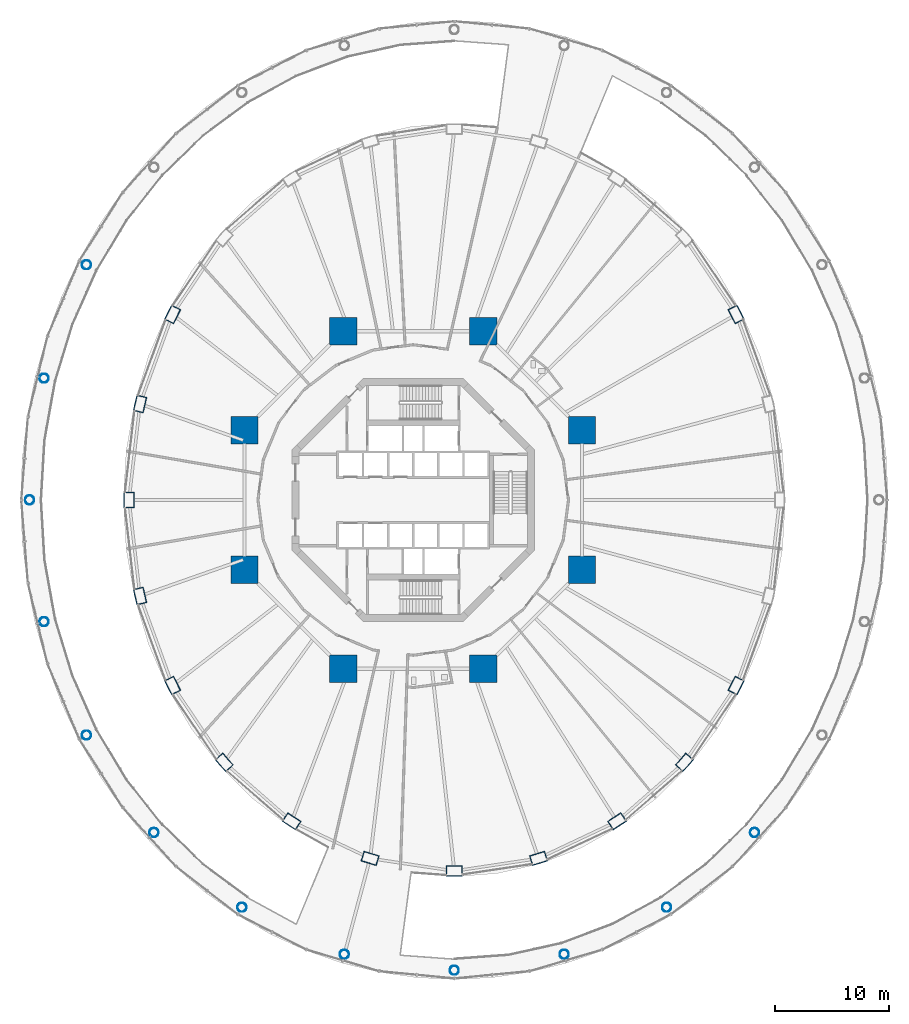
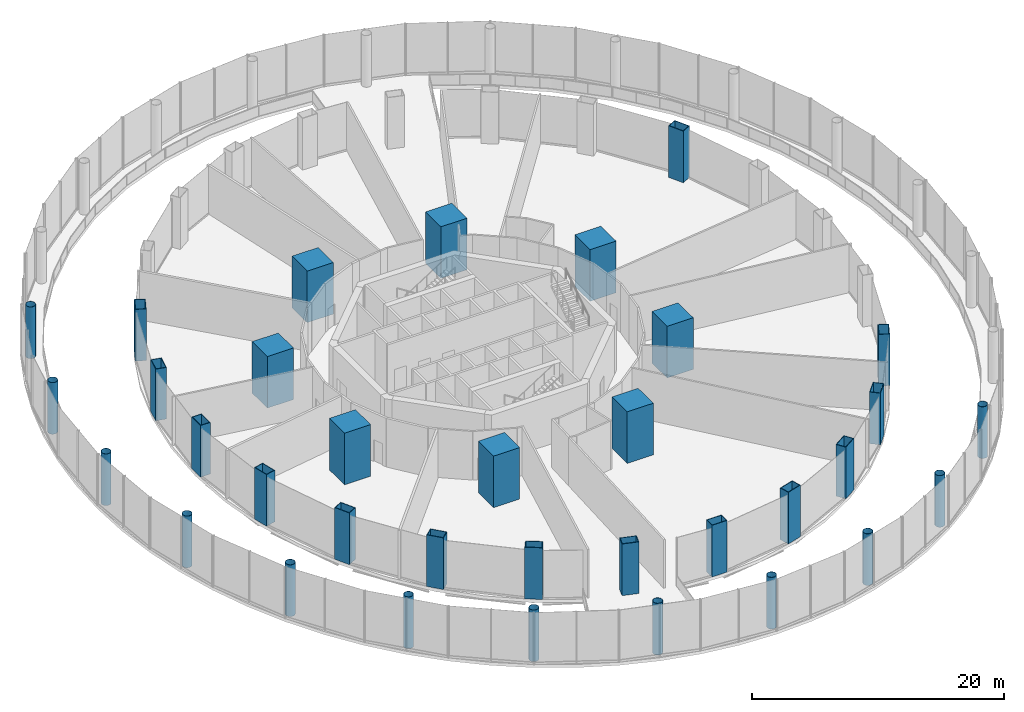
# One storey, part 1 of 48: 34 columns.
"""IFC4 building model written with IfcOpenShell, lengths in metres."""

from ifc_helpers import new_model, si_unit, direction, frame, origin, origin_2d, place, context, subcontext, project, spatial, rectangle, hollow_rectangle, hollow_circle, extrude, material, material_profile, profile_set, type_object, element, save


model = new_model("IFC4")

# Units and contexts
model_context = context("Model", 3, precision=1e-05, world=origin(), true_north=direction((0.0, 1.0)))
body_context = subcontext(model_context, "Body", "Model", "MODEL_VIEW")
ifc_project = project(units=[si_unit("LENGTHUNIT", "METRE"), si_unit("AREAUNIT", "SQUARE_METRE"), si_unit("VOLUMEUNIT", "CUBIC_METRE"), si_unit("PLANEANGLEUNIT", "RADIAN"), si_unit("MASSUNIT", "GRAM", prefix="KILO")], contexts=[model_context])

# Site, building, storey
site_placement = place(None, origin())
site = spatial("IfcSite", under=ifc_project, at=site_placement, CompositionType="ELEMENT")
building_placement = place(site_placement, origin())
building = spatial("IfcBuilding", under=site, at=building_placement, Name="Nagisa Residences", CompositionType="ELEMENT")
storey_placement = place(building_placement, frame((0.0, 0.0, 12.0)))
storey = spatial("IfcBuildingStorey", under=building, at=storey_placement, Name="L02", CompositionType="ELEMENT", Elevation=12.0)

# Columns
ifc_material_1 = material(Name="Steel ASTM A572 Gr 65", Category="steel")
ifc_material_profile_1 = material_profile(ifc_material_1, hollow_circle(Radius=0.406494140625, WallThickness=0.02490234375, at=origin_2d()), Name="CHS 813x25")
ifc_profile_set_1 = profile_set([ifc_material_profile_1], Name="Steel ASTM A572 Gr 65")
column_type_1 = type_object("IfcColumnType", Name="Atrium column CHS 813x25", PredefinedType="COLUMN", material=ifc_profile_set_1)
for number, where, z_axis, x_axis, name in (
    (1, (-28.6162109375, 20.60009765625, 0.0), (0.0, 0.0, 1.0), (1.0, 0.0, 0.0), "col:L02:a10"),
    (2, (-32.33251953125, 10.663330078125, 0.0), (0.0, 0.0, 1.0), (1.0, 0.0, 0.0), "col:L02:a11"),
    (3, (-33.60009765625, 0.0, 0.0), (0.0, 0.0, 1.0), (1.0, 0.0, 0.0), "col:L02:a12"),
    (4, (-32.33251953125, -10.663330078125, 0.0), (0.0, 0.0, 1.0), (1.0, 0.0, 0.0), "col:L02:a13"),
    (5, (-28.6162109375, -20.60009765625, 0.0), (0.0, 0.0, 1.0), (1.0, 0.0, 0.0), "col:L02:a14"),
    (6, (-22.704345703125, -29.1328125, 0.0), (0.0, 0.0, 1.0), (1.0, 0.0, 0.0), "col:L02:a15"),
    (7, (-15.0, -35.68017578125, 0.0), (0.0, 0.0, 1.0), (1.0, 0.0, 0.0), "col:L02:a16"),
    (8, (-6.028076171875, -39.796142578125, 0.0), (0.0, 0.0, 1.0), (1.0, 0.0, 0.0), "col:L02:a17"),
    (9, (3.60009765625, -41.199951171875, 0.0), (0.0, 0.0, 1.0), (1.0, 0.0, 0.0), "col:L02:a18"),
    (10, (13.22802734375, -39.796142578125, 0.0), (0.0, 0.0, 1.0), (1.0, 0.0, 0.0), "col:L02:a19"),
    (11, (22.199951171875, -35.68017578125, 0.0), (0.0, 0.0, 1.0), (1.0, 0.0, 0.0), "col:L02:a20"),
    (12, (29.904296875, -29.1328125, 0.0), (0.0, 0.0, 1.0), (1.0, 0.0, 0.0), "col:L02:a21"),
):
    element("IfcColumn", number, at=place(storey_placement, frame(where, z_axis=z_axis, x_axis=x_axis)), inside=storey, type_object=column_type_1, Name=name, PredefinedType="COLUMN", context=body_context, shape_type="SweptSolid", body=[
        extrude(hollow_circle(Radius=0.406494140625, WallThickness=0.02490234375, at=origin_2d()), origin(), (0.0, 0.0, 1.0), 5.0),
    ])
ifc_material_2 = material(Name="Concrete C80", Category="concrete")
ifc_material_profile_2 = material_profile(ifc_material_2, rectangle(XDim=2.39990234375, YDim=2.39990234375, at=origin_2d()), Name="C80 2400x2400")
ifc_profile_set_2 = profile_set([ifc_material_profile_2], Name="Concrete C80")
column_type_2 = type_object("IfcColumnType", Name="Inner megacolumn C80 2400x2400", PredefinedType="COLUMN", material=ifc_profile_set_2)
for number, where, z_axis, x_axis, name in (
    (13, (14.781982421875, 6.123046875, 0.0), (0.0, 0.0, 1.0), (1.0, 0.0, 0.0), "col:L02:i1"),
    (14, (6.123046875, 14.781982421875, 0.0), (0.0, 0.0, 1.0), (1.0, 0.0, 0.0), "col:L02:i2"),
    (15, (-6.123046875, 14.781982421875, 0.0), (0.0, 0.0, 1.0), (1.0, 0.0, 0.0), "col:L02:i3"),
    (16, (-14.781982421875, 6.123046875, 0.0), (0.0, 0.0, 1.0), (1.0, 0.0, 0.0), "col:L02:i4"),
    (17, (-14.781982421875, -6.123046875, 0.0), (0.0, 0.0, 1.0), (1.0, 0.0, 0.0), "col:L02:i5"),
    (18, (-6.123046875, -14.781982421875, 0.0), (0.0, 0.0, 1.0), (1.0, 0.0, 0.0), "col:L02:i6"),
    (19, (6.123046875, -14.781982421875, 0.0), (0.0, 0.0, 1.0), (1.0, 0.0, 0.0), "col:L02:i7"),
    (20, (14.781982421875, -6.123046875, 0.0), (0.0, 0.0, 1.0), (1.0, 0.0, 0.0), "col:L02:i8"),
):
    element("IfcColumn", number, at=place(storey_placement, frame(where, z_axis=z_axis, x_axis=x_axis)), inside=storey, type_object=column_type_2, Name=name, PredefinedType="COLUMN", context=body_context, shape_type="SweptSolid", body=[
        extrude(rectangle(XDim=2.39990234375, YDim=2.39990234375, at=origin_2d()), origin(), (0.0, 0.0, 1.0), 5.0),
    ])
ifc_material_3 = material(Name="Steel ASTM A572 Gr 50", Category="steel")
ifc_material_profile_3 = material_profile(ifc_material_3, hollow_rectangle(XDim=1.39990234375, YDim=0.89990234375, WallThickness=0.050048828125, at=origin_2d()), Name="BX 1400x900x50")
ifc_profile_set_3 = profile_set([ifc_material_profile_3], Name="Steel ASTM A572 Gr 50")
column_type_3 = type_object("IfcColumnType", Name="Perimeter column BX 1400x900x50", PredefinedType="COLUMN", material=ifc_profile_set_3)
for number, where, z_axis, x_axis, name in (
    (21, (28.28173828125, 16.25, 0.0), (0.0, 0.0, 1.0), (-0.452462697578, 0.891783329795, 0.0), "col:L02:p02"),
    (22, (-21.081787109375, 16.25, 0.0), (0.0, 0.0, 1.0), (-0.452462697578, -0.891783329795, 0.0), "col:L02:p10"),
    (23, (-23.928955078125, 8.41162109375, 0.0), (0.0, 0.0, 1.0), (-0.229202013103, -0.973378876486, 0.0), "col:L02:p11"),
    (24, (-24.89990234375, 0.0, 0.0), (0.0, 0.0, 1.0), (0.0, -1.0, 0.0), "col:L02:p12"),
    (25, (-23.928955078125, -8.41162109375, 0.0), (0.0, 0.0, 1.0), (0.229202013103, -0.973378876486, 0.0), "col:L02:p13"),
    (26, (-21.081787109375, -16.25, 0.0), (0.0, 0.0, 1.0), (0.452462697578, -0.891783329795, 0.0), "col:L02:p14"),
    (27, (-16.552490234375, -22.98095703125, 0.0), (0.0, 0.0, 1.0), (0.660114607735, -0.751164898445, 0.0), "col:L02:p15"),
    (28, (-10.64990234375, -28.145751953125, 0.0), (0.0, 0.0, 1.0), (0.835766105673, -0.54908561865, 0.0), "col:L02:p16"),
    (29, (-3.7763671875, -31.392578125, 0.0), (0.0, 0.0, 1.0), (0.956524583408, -0.291651712384, 0.0), "col:L02:p17"),
    (30, (3.60009765625, -32.5, 0.0), (0.0, 0.0, 1.0), (1.0, 0.0, 0.0), "col:L02:p18"),
    (31, (10.976318359375, -31.392578125, 0.0), (0.0, 0.0, 1.0), (0.956524583408, 0.291651712384, 0.0), "col:L02:p19"),
    (32, (17.85009765625, -28.145751953125, 0.0), (0.0, 0.0, 1.0), (0.835766105673, 0.54908561865, 0.0), "col:L02:p20"),
    (33, (23.75244140625, -22.98095703125, 0.0), (0.0, 0.0, 1.0), (0.660114607735, 0.751164898445, 0.0), "col:L02:p21"),
    (34, (28.28173828125, -16.25, 0.0), (0.0, 0.0, 1.0), (0.452462697578, 0.891783329795, 0.0), "col:L02:p22"),
):
    element("IfcColumn", number, at=place(storey_placement, frame(where, z_axis=z_axis, x_axis=x_axis)), inside=storey, type_object=column_type_3, Name=name, PredefinedType="COLUMN", context=body_context, shape_type="SweptSolid", body=[
        extrude(hollow_rectangle(XDim=1.39990234375, YDim=0.89990234375, WallThickness=0.050048828125, at=origin_2d()), origin(), (0.0, 0.0, 1.0), 5.0),
    ])

save(model, "model.ifc")
